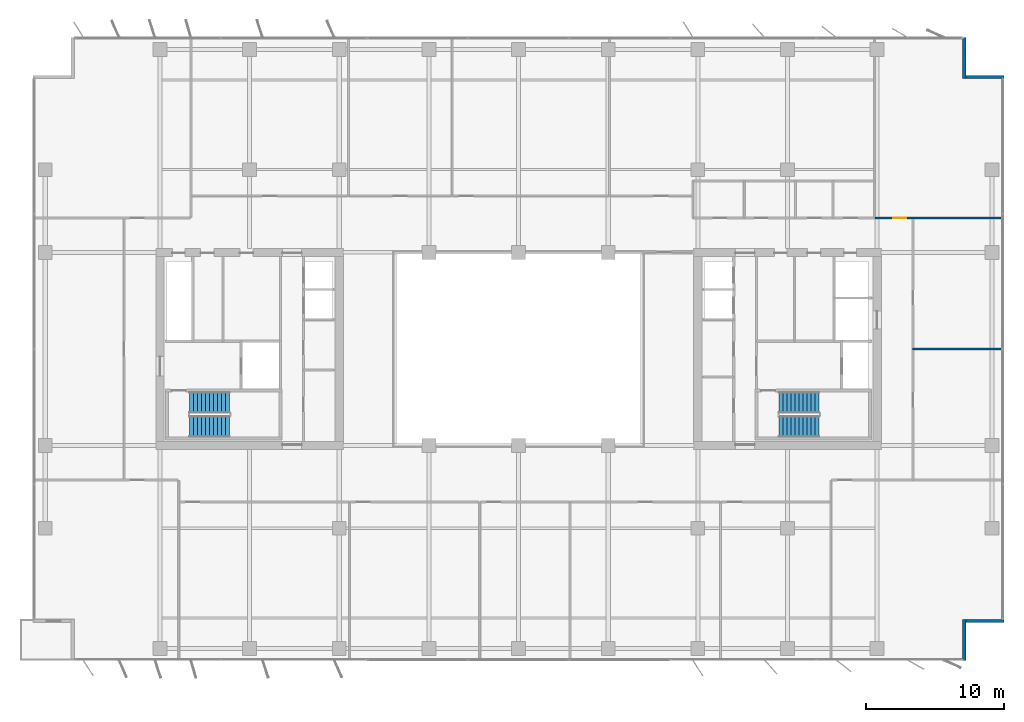
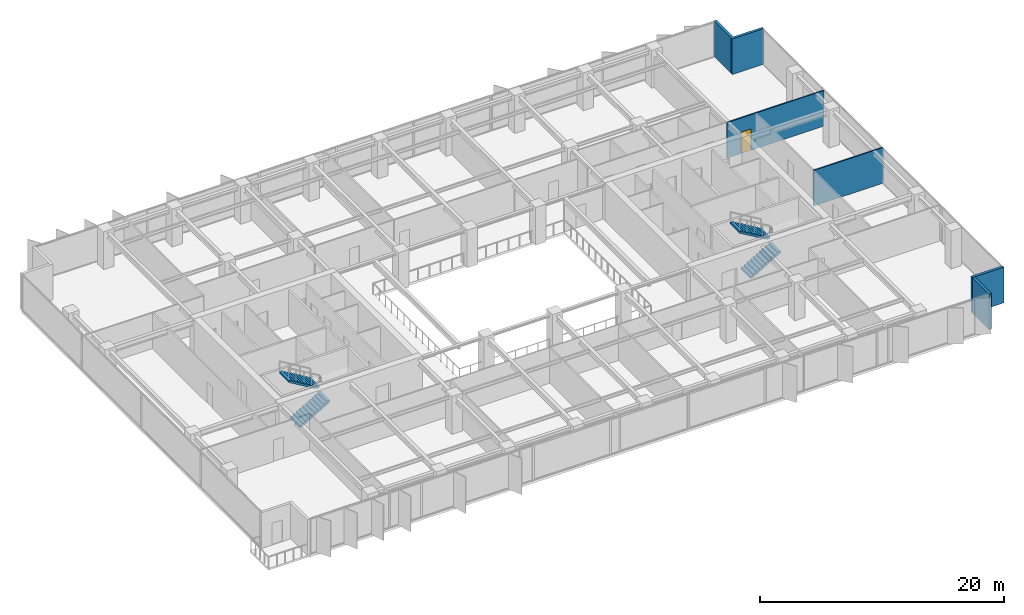
# One storey, part 18 of 22: 6 walls, 4 stair flights, 1 door, 1 opening, 2 elements without a shape of their own.
"""IFC4 building model written with IfcOpenShell, lengths in metres."""

from ifc_helpers import new_model, si_unit, direction, frame, frame_2d, origin, place, context, subcontext, project, spatial, polyline, rectangle, outline, extrude, material, layer, layer_set, type_object, element, fill, aggregate, save


model = new_model("IFC4")

# Units and contexts
model_context = context("Model", 3, precision=1e-05, world=origin(), true_north=direction((0.0, 1.0)))
body_context = subcontext(model_context, "Body", "Model", "MODEL_VIEW")
ifc_project = project(units=[si_unit("LENGTHUNIT", "METRE"), si_unit("AREAUNIT", "SQUARE_METRE"), si_unit("VOLUMEUNIT", "CUBIC_METRE"), si_unit("PLANEANGLEUNIT", "RADIAN"), si_unit("MASSUNIT", "GRAM", prefix="KILO")], contexts=[model_context])

# Site, building, storey
site_placement = place(None, origin())
site = spatial("IfcSite", under=ifc_project, at=site_placement, CompositionType="ELEMENT")
building_placement = place(site_placement, origin())
building = spatial("IfcBuilding", under=site, at=building_placement, Name="Putna Gate Headquarters", CompositionType="ELEMENT")
storey_placement = place(building_placement, frame((0.0, 0.0, 163.199951171875)))
storey = spatial("IfcBuildingStorey", under=building, at=storey_placement, Name="L40", CompositionType="ELEMENT", Elevation=163.199951171875)

# Walls
ifc_material_1 = material(Name="Precast concrete C40/50", Category="concrete")
ifc_layer_1 = layer(ifc_material_1, 0.239990234375)
ifc_layer_set_1 = layer_set([ifc_layer_1], Name="Precast concrete C40/50")
wall_type_1 = type_object("IfcWallType", Name="WALL-EXT-TERR-240", PredefinedType="STANDARD", material=ifc_layer_set_1)
for number, where, z_axis, x_axis, name in (
    (1, (71.320068359375, 48.60009765625, 0.0), (0.0, 0.0, 1.0), (0.0, -1.0, 0.0), "L40 Corner Notch Return Wall NE-V"),
    (2, (71.199951171875, 45.719970703125, 0.0), (0.0, 0.0, 1.0), (1.0, 0.0, 0.0), "L40 Corner Notch Return Wall NE-H"),
    (3, (71.320068359375, 6.39990234375, 0.0), (0.0, 0.0, 1.0), (0.0, -1.0, 0.0), "L40 Corner Notch Return Wall SE-V"),
    (4, (74.199951171875, 6.280029296875, 0.0), (0.0, 0.0, 1.0), (-1.0, 0.0, 0.0), "L40 Corner Notch Return Wall SE-H"),
):
    element("IfcWall", number, at=place(storey_placement, frame(where, z_axis=z_axis, x_axis=x_axis)), inside=storey, type_object=wall_type_1, Name=name, PredefinedType="STANDARD", context=body_context, shape_type="SweptSolid", body=[
        extrude(rectangle(XDim=3.0, YDim=0.239990234375, at=frame_2d((1.5, 0.0))), origin(), (0.0, 0.0, 1.0), 3.572021484375),
    ])
ifc_material_2 = material(Name="Acoustic gypsum board on metal stud")
ifc_layer_2 = layer(ifc_material_2, 0.1201171875)
ifc_layer_set_2 = layer_set([ifc_layer_2], Name="Acoustic gypsum board on metal stud")
wall_type_2 = type_object("IfcWallType", Name="WALL-PART-120", PredefinedType="PARTITIONING", material=ifc_layer_set_2)
wall_1_placement = place(storey_placement, frame((67.60009765625, 26.0, 0.0), z_axis=(0.0, 0.0, 1.0), x_axis=(1.0, 0.0, 0.0)))
element("IfcWall", 5, at=wall_1_placement, inside=storey, type_object=wall_type_2, Name="L40 Interior Wall PART-L40-EW-DIV-1", PredefinedType="PARTITIONING", context=body_context, shape_type="SweptSolid", body=[
    extrude(rectangle(XDim=6.579833984375, YDim=0.1201171875, at=frame_2d((3.2900390625, 0.0))), origin(), (0.0, 0.0, 1.0), 3.572021484375),
])

# Wall, opening, door
ifc_material_3 = material(Name="Fire-rated gypsum board on metal stud")
ifc_layer_3 = layer(ifc_material_3, 0.1201171875)
ifc_layer_set_3 = layer_set([ifc_layer_3], Name="Fire-rated gypsum board on metal stud")
wall_type_3 = type_object("IfcWallType", Name="WALL-PART-120-RATED", PredefinedType="PARTITIONING", material=ifc_layer_set_3)
wall_2_placement = place(storey_placement, frame((64.860107421875, 35.5, 0.0), z_axis=(0.0, 0.0, 1.0), x_axis=(1.0, 0.0, 0.0)))
wall_2 = element("IfcWall", 6, at=wall_2_placement, inside=storey, type_object=wall_type_3, Name="L40 Interior Wall PART-L40-NB-CW-06", PredefinedType="PARTITIONING", context=body_context, shape_type="SweptSolid", body=[
    extrude(rectangle(XDim=9.159912109375, YDim=0.1201171875, at=frame_2d((4.580078125, 0.0))), origin(), (0.0, 0.0, 1.0), 3.572021484375),
])
opening_placement = place(wall_2_placement, frame((1.31005859375, 0.0, 0.0)))
opening = element("IfcOpeningElement", 7, at=opening_placement, cuts=wall_2, Name="Opening FD-95", PredefinedType="OPENING", context=body_context, shape_type="SweptSolid", body=[
    extrude(rectangle(XDim=0.949951171875, YDim=2.14990234375, at=frame_2d((0.47509765625, 1.074951171875))), frame((0.0, 0.070068359375, 0.0), z_axis=(0.0, -1.0, 0.0), x_axis=(1.0, 0.0, 0.0)), (0.0, 0.0, 1.0), 0.14013671875),
])
ifc_material_4 = material(Name="Acoustic timber fire door", Category="wood")
door_type = type_object("IfcDoorType", Name="DOOR-FIRE-950", OperationType="NOTDEFINED", PredefinedType="DOOR", material=ifc_material_4)
door_placement = place(opening_placement, origin())
door = element("IfcDoor", 8, at=door_placement, inside=storey, type_object=door_type, Name="L40 Cellular Office 2 Door", OperationType="SINGLE_SWING_LEFT", OverallHeight=2.14990234375, OverallWidth=0.949951171875, PredefinedType="DOOR", context=body_context, shape_type="SweptSolid", body=[
    extrude(rectangle(XDim=0.949951171875, YDim=2.14990234375, at=frame_2d((0.47509765625, 1.074951171875))), frame((0.0, 0.02490234375, 0.0), z_axis=(0.0, -1.0, 0.0), x_axis=(1.0, 0.0, 0.0)), (0.0, 0.0, 1.0), 0.050048828125),
])
fill(opening, door)

# Stair, stair flights
ifc_material_5 = material(Name="Concrete C40/50", Category="concrete")
stair_type_1 = type_object("IfcStairType", Name="STAIR-ST1", PredefinedType="HALF_TURN_STAIR", material=ifc_material_5)
stair_1_placement = place(storey_placement, origin())
stair_1 = element("IfcStair", 9, at=stair_1_placement, inside=storey, type_object=stair_type_1, Name="L40 West Core Exit Stair ST1", PredefinedType="HALF_TURN_STAIR")
stair_flight_type_1 = type_object("IfcStairFlightType", Name="FLIGHT-ST1", PredefinedType="STRAIGHT", material=ifc_material_5)
stair_flight_1_placement = place(storey_placement, frame((15.14990234375, 20.375, 0.0), z_axis=(0.0, 0.0, 1.0), x_axis=(1.0, 0.0, 0.0)))
stair_flight_1 = element("IfcStairFlight", 10, at=stair_flight_1_placement, type_object=stair_flight_type_1, Name="ST1 flight 1", NumberOfRisers=11, NumberOfTreads=10, PredefinedType="STRAIGHT", RiserHeight=0.172727273, TreadLength=0.29, context=body_context, shape_type="SweptSolid", body=[
    extrude(outline(polyline([(0.0, 0.0), (0.0, 0.172607421875), (0.2900390625, 0.172607421875), (0.2900390625, 0.345458984375), (0.580078125, 0.345458984375), (0.580078125, 0.51806640625), (0.8701171875, 0.51806640625), (0.8701171875, 0.69091796875), (1.159912109375, 0.69091796875), (1.159912109375, 0.863525390625), (1.449951171875, 0.863525390625), (1.449951171875, 1.036376953125), (1.739990234375, 1.036376953125), (1.739990234375, 1.208984375), (2.030029296875, 1.208984375), (2.030029296875, 1.3818359375), (2.320068359375, 1.3818359375), (2.320068359375, 1.554443359375), (2.610107421875, 1.554443359375), (2.610107421875, 1.727294921875), (2.89990234375, 1.727294921875), (2.89990234375, 1.89990234375), (2.89990234375, 1.552734375), (0.29296875, 0.0), (0.0, 0.0)])), frame((0.0, 0.77490234375, 0.0), z_axis=(0.0, -1.0, 0.0), x_axis=(1.0, 0.0, 0.0)), (0.0, 0.0, 1.0), 1.550048828125),
])
stair_flight_2_placement = place(storey_placement, frame((18.050048828125, 22.125, 1.900146484375), z_axis=(0.0, 0.0, 1.0), x_axis=(-1.0, 0.0, 0.0)))
stair_flight_2 = element("IfcStairFlight", 11, at=stair_flight_2_placement, type_object=stair_flight_type_1, Name="ST1 flight 2", NumberOfRisers=11, NumberOfTreads=10, PredefinedType="STRAIGHT", RiserHeight=0.172727273, TreadLength=0.29, context=body_context, shape_type="SweptSolid", body=[
    extrude(outline(polyline([(0.0, 0.0), (0.0, 0.172607421875), (0.2900390625, 0.172607421875), (0.2900390625, 0.345458984375), (0.580078125, 0.345458984375), (0.580078125, 0.51806640625), (0.8701171875, 0.51806640625), (0.8701171875, 0.69091796875), (1.159912109375, 0.69091796875), (1.159912109375, 0.863525390625), (1.449951171875, 0.863525390625), (1.449951171875, 1.036376953125), (1.739990234375, 1.036376953125), (1.739990234375, 1.208984375), (2.030029296875, 1.208984375), (2.030029296875, 1.3818359375), (2.320068359375, 1.3818359375), (2.320068359375, 1.554443359375), (2.610107421875, 1.554443359375), (2.610107421875, 1.727294921875), (2.89990234375, 1.727294921875), (2.89990234375, 1.89990234375), (2.89990234375, 1.552734375), (0.29296875, 0.0), (0.0, 0.0)])), frame((0.0, 0.77490234375, 0.0), z_axis=(0.0, -1.0, 0.0), x_axis=(1.0, 0.0, 0.0)), (0.0, 0.0, 1.0), 1.550048828125),
])
aggregate(stair_1, [stair_flight_1, stair_flight_2])

stair_type_2 = type_object("IfcStairType", Name="STAIR-ST2", PredefinedType="HALF_TURN_STAIR", material=ifc_material_5)
stair_2_placement = place(storey_placement, origin())
stair_2 = element("IfcStair", 12, at=stair_2_placement, inside=storey, type_object=stair_type_2, Name="L40 East Core Exit Stair ST2", PredefinedType="HALF_TURN_STAIR")
stair_flight_type_2 = type_object("IfcStairFlightType", Name="FLIGHT-ST2", PredefinedType="STRAIGHT", material=ifc_material_5)
stair_flight_3_placement = place(storey_placement, frame((57.89990234375, 20.375, 0.0), z_axis=(0.0, 0.0, 1.0), x_axis=(1.0, 0.0, 0.0)))
stair_flight_3 = element("IfcStairFlight", 13, at=stair_flight_3_placement, type_object=stair_flight_type_2, Name="ST2 flight 1", NumberOfRisers=11, NumberOfTreads=10, PredefinedType="STRAIGHT", RiserHeight=0.172727273, TreadLength=0.29, context=body_context, shape_type="SweptSolid", body=[
    extrude(outline(polyline([(0.0, 0.0), (0.0, 0.172607421875), (0.2900390625, 0.172607421875), (0.2900390625, 0.345458984375), (0.580078125, 0.345458984375), (0.580078125, 0.51806640625), (0.8701171875, 0.51806640625), (0.8701171875, 0.69091796875), (1.159912109375, 0.69091796875), (1.159912109375, 0.863525390625), (1.449951171875, 0.863525390625), (1.449951171875, 1.036376953125), (1.739990234375, 1.036376953125), (1.739990234375, 1.208984375), (2.030029296875, 1.208984375), (2.030029296875, 1.3818359375), (2.320068359375, 1.3818359375), (2.320068359375, 1.554443359375), (2.610107421875, 1.554443359375), (2.610107421875, 1.727294921875), (2.89990234375, 1.727294921875), (2.89990234375, 1.89990234375), (2.89990234375, 1.552734375), (0.29296875, 0.0), (0.0, 0.0)])), frame((0.0, 0.77490234375, 0.0), z_axis=(0.0, -1.0, 0.0), x_axis=(1.0, 0.0, 0.0)), (0.0, 0.0, 1.0), 1.550048828125),
])
stair_flight_4_placement = place(storey_placement, frame((60.800048828125, 22.125, 1.900146484375), z_axis=(0.0, 0.0, 1.0), x_axis=(-1.0, 0.0, 0.0)))
stair_flight_4 = element("IfcStairFlight", 14, at=stair_flight_4_placement, type_object=stair_flight_type_2, Name="ST2 flight 2", NumberOfRisers=11, NumberOfTreads=10, PredefinedType="STRAIGHT", RiserHeight=0.172727273, TreadLength=0.29, context=body_context, shape_type="SweptSolid", body=[
    extrude(outline(polyline([(0.0, 0.0), (0.0, 0.172607421875), (0.2900390625, 0.172607421875), (0.2900390625, 0.345458984375), (0.580078125, 0.345458984375), (0.580078125, 0.51806640625), (0.8701171875, 0.51806640625), (0.8701171875, 0.69091796875), (1.159912109375, 0.69091796875), (1.159912109375, 0.863525390625), (1.449951171875, 0.863525390625), (1.449951171875, 1.036376953125), (1.739990234375, 1.036376953125), (1.739990234375, 1.208984375), (2.030029296875, 1.208984375), (2.030029296875, 1.3818359375), (2.320068359375, 1.3818359375), (2.320068359375, 1.554443359375), (2.610107421875, 1.554443359375), (2.610107421875, 1.727294921875), (2.89990234375, 1.727294921875), (2.89990234375, 1.89990234375), (2.89990234375, 1.552734375), (0.29296875, 0.0), (0.0, 0.0)])), frame((0.0, 0.77490234375, 0.0), z_axis=(0.0, -1.0, 0.0), x_axis=(1.0, 0.0, 0.0)), (0.0, 0.0, 1.0), 1.550048828125),
])
aggregate(stair_2, [stair_flight_3, stair_flight_4])

save(model, "model.ifc")
